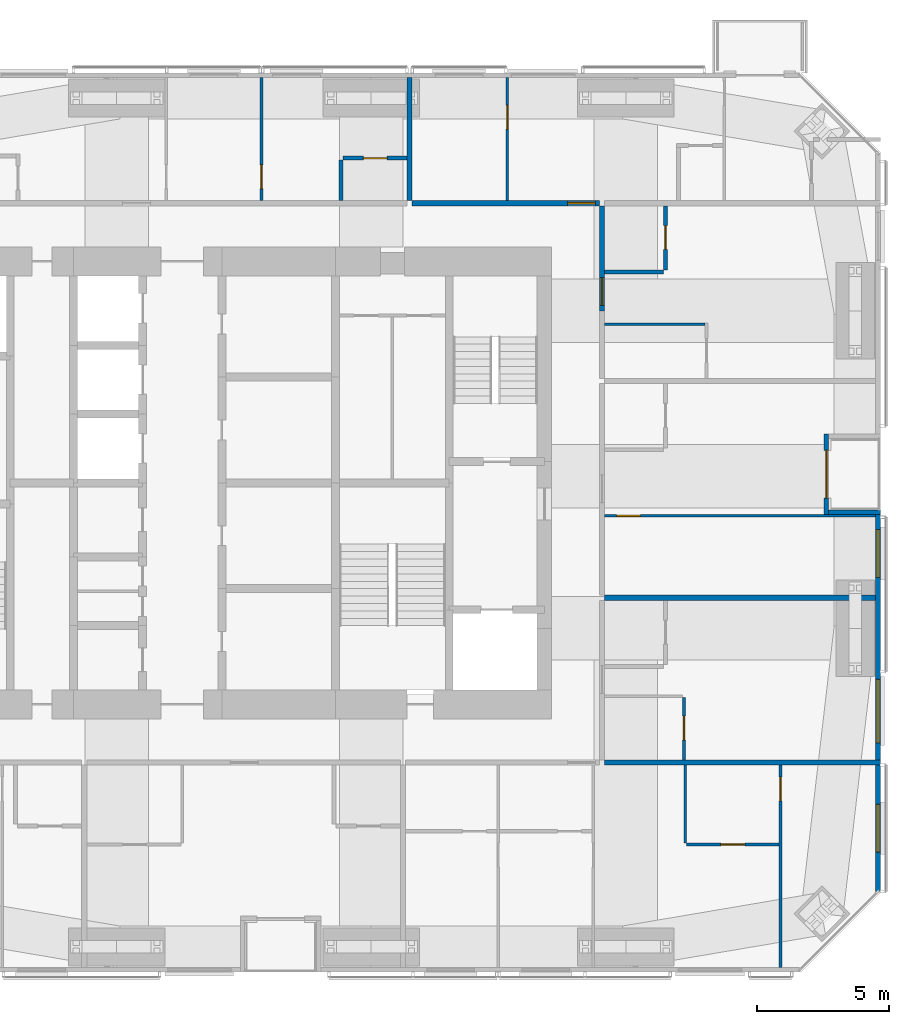
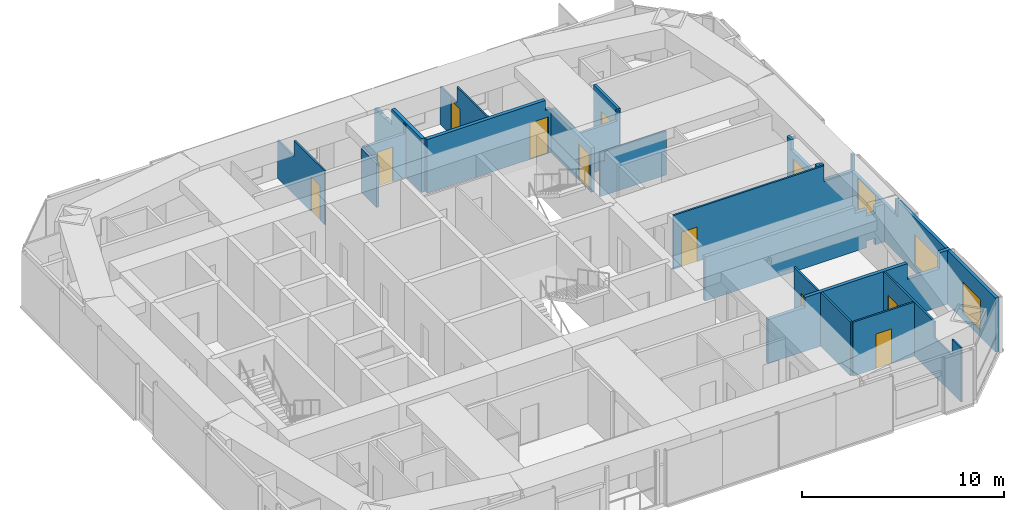
# One storey, part 17 of 19: 20 walls, 11 doors, 3 windows, 14 openings.
"""IFC4 building model written with IfcOpenShell, lengths in metres."""

import ifcopenshell
import ifcopenshell.guid

model = None  # the IFC model being written
_history = None  # IfcOwnerHistory: only IFC2X3 demands one
_inside = {}  # id of a spatial element -> (the spatial element, [elements in it])
_under = {}  # id of a project, library or spatial element -> (it, [spatial elements below it])
_declared = {}  # id of a project -> (the project, [libraries it declares])
_typed = {}  # id of a type object -> (the type object, [elements of that type])
_made_of = {}  # id of a material, layer set ... -> (it, [elements and type objects made of it])


def new_model(schema):
    """Start an empty IFC model of exactly this schema.

    Asked for "IFC4X3", IfcOpenShell would pick the latest addendum, in which some entities
    have other attributes; the version numbers below select the first issue.
    IFC2X3 requires an IfcOwnerHistory on every rooted entity: one is made here for all.
    """
    global model, _history
    if schema == "IFC4X3":
        model = ifcopenshell.file(schema_version=(4, 3, 0, 0))
    else:
        model = ifcopenshell.file(schema=schema)
    _inside.clear()
    _under.clear()
    _declared.clear()
    _typed.clear()
    _made_of.clear()
    _history = None
    if model.schema == "IFC2X3":
        org = make("IfcOrganization", Name="unknown")
        user = make(
            "IfcPersonAndOrganization",
            ThePerson=make("IfcPerson", FamilyName="unknown"),
            TheOrganization=org,
        )
        app = make(
            "IfcApplication",
            ApplicationDeveloper=org,
            Version="unknown",
            ApplicationFullName="unknown",
            ApplicationIdentifier="unknown",
        )
        _history = make(
            "IfcOwnerHistory",
            OwningUser=user,
            OwningApplication=app,
            ChangeAction="ADDED",
            CreationDate=0,
        )
    return model


def make(cls, **values):
    """One entity of the class cls with the attributes given. An attribute that is None is left unset."""
    return model.create_entity(
        cls, **{name: value for name, value in values.items() if value is not None}
    )


def rooted(cls, **values):
    """An entity with a GlobalId (a new one), such as an element, a storey or a relation."""
    return make(cls, GlobalId=ifcopenshell.guid.new(), OwnerHistory=_history, **values)


def si_unit(unit_type, name, prefix=None):
    """IfcSIUnit, for example si_unit("LENGTHUNIT", "METRE", prefix="MILLI")."""
    return make("IfcSIUnit", UnitType=unit_type, Prefix=prefix, Name=name)


def assignment(units):
    """IfcUnitAssignment: the units of a project."""
    return None if units is None else make("IfcUnitAssignment", Units=units)


def point(xyz):
    """IfcCartesianPoint."""
    return None if xyz is None else make("IfcCartesianPoint", Coordinates=xyz)


def direction(xyz):
    """IfcDirection."""
    return None if xyz is None else make("IfcDirection", DirectionRatios=xyz)


def frame(location, z_axis=None, x_axis=None):
    """IfcAxis2Placement3D, a coordinate frame: its origin and axes. An axis left out is left unset."""
    return make(
        "IfcAxis2Placement3D",
        Location=point(location),
        Axis=direction(z_axis),
        RefDirection=direction(x_axis),
    )


def frame_2d(location, x_axis=None):
    """IfcAxis2Placement2D, a coordinate frame in the plane: its origin and x axis."""
    return make(
        "IfcAxis2Placement2D", Location=point(location), RefDirection=direction(x_axis)
    )


def origin():
    """The frame at (0, 0, 0) with its axes left unset."""
    return frame((0.0, 0.0, 0.0))


def place(relative_to, where):
    """IfcLocalPlacement: puts the frame where relative to a parent placement (None: the world)."""
    return make(
        "IfcLocalPlacement", PlacementRelTo=relative_to, RelativePlacement=where
    )


def context(
    kind, dimensions, precision=None, world=None, true_north=None, identifier=None
):
    """IfcGeometricRepresentationContext, for example the 3D "Model" context."""
    return make(
        "IfcGeometricRepresentationContext",
        ContextIdentifier=identifier,
        ContextType=kind,
        CoordinateSpaceDimension=dimensions,
        Precision=precision,
        WorldCoordinateSystem=world,
        TrueNorth=true_north,
    )


def subcontext(parent, identifier, kind, view, scale=None):
    """IfcGeometricRepresentationSubContext, for example "Body" below "Model"."""
    return make(
        "IfcGeometricRepresentationSubContext",
        ContextIdentifier=identifier,
        ContextType=kind,
        ParentContext=parent,
        TargetScale=scale,
        TargetView=view,
    )


def project(units=None, contexts=None):
    """IfcProject with its units and contexts."""
    return rooted(
        "IfcProject",
        Name="project",
        RepresentationContexts=contexts,
        UnitsInContext=assignment(units),
    )


def spatial(cls, under=None, at=None, **own):
    """A site, building, storey or space (cls), placed at a placement, below another one or the project."""
    s = rooted(cls, ObjectPlacement=at, **own)
    if under is not None:
        _under.setdefault(under.id(), (under, []))[1].append(s)
    return s


def polyline(points):
    """IfcPolyline through the points."""
    return make("IfcPolyline", Points=[point(p) for p in points])


def profile(cls, at=None, kind="AREA", **sizes):
    """A parametric profile (cls). Its sizes go by their IFC names, for example OverallWidth=200.0."""
    return make(cls, ProfileType=kind, Position=at, **sizes)


def rectangle(**sizes):
    """IfcRectangleProfileDef."""
    return profile("IfcRectangleProfileDef", **sizes)


def outline(outer, holes=None, kind="AREA"):
    """IfcArbitraryClosedProfileDef: a profile drawn as a closed curve; with holes, ...WithVoids."""
    if holes is None:
        return make("IfcArbitraryClosedProfileDef", ProfileType=kind, OuterCurve=outer)
    return make(
        "IfcArbitraryProfileDefWithVoids",
        ProfileType=kind,
        OuterCurve=outer,
        InnerCurves=holes,
    )


def extrude(swept, where, along, depth):
    """IfcExtrudedAreaSolid: the profile swept, set in the frame where, extruded along a direction by depth."""
    return make(
        "IfcExtrudedAreaSolid",
        SweptArea=swept,
        Position=where,
        ExtrudedDirection=direction(along),
        Depth=depth,
    )


def shape(context_of_items, identifier, shape_type, items):
    """IfcShapeRepresentation: the items that make up one representation, for example the "Body"."""
    return make(
        "IfcShapeRepresentation",
        ContextOfItems=context_of_items,
        RepresentationIdentifier=identifier,
        RepresentationType=shape_type,
        Items=items,
    )


def material(Name=None, Category=None):
    """IfcMaterial."""
    return make("IfcMaterial", Name=Name, Category=Category)


def constituent(of_material, Name=None, Category=None, fraction=None):
    """IfcMaterialConstituent: one of the materials an element consists of."""
    return make(
        "IfcMaterialConstituent",
        Name=Name,
        Material=of_material,
        Fraction=fraction,
        Category=Category,
    )


def constituent_set(constituents=None, Name=None):
    """IfcMaterialConstituentSet."""
    return make(
        "IfcMaterialConstituentSet", Name=Name, MaterialConstituents=constituents
    )


def made_of(thing, what):
    """Note that an element or type object is made of a material, layer set ...; save() writes the relation."""
    if what is not None:
        _made_of.setdefault(what.id(), (what, []))[1].append(thing)
    return thing


def type_object(cls, material=None, **own):
    """A type object (cls), such as IfcWallType, which elements share."""
    return made_of(rooted(cls, **own), material)


def element(
    cls,
    number,
    at=None,
    inside=None,
    cuts=None,
    type_object=None,
    material=None,
    context=None,
    identifier="Body",
    shape_type=None,
    held_by="IfcProductDefinitionShape",
    body=None,
    shapes=None,
    **own,
):
    """One element of the class cls, such as IfcWall. Its Tag is "e" and its number.

    at: its placement. inside: the storey or other place that contains it. cuts: it is an
    opening in that element (IfcRelVoidsElement). A single representation is given by context,
    identifier, shape_type and body (its items); several are given by shapes. held_by: the class
    of the entity that holds the representations. save() writes the other relations.
    """
    e = rooted(cls, Tag="e%d" % number, ObjectPlacement=at, **own)
    if body is not None:
        shapes = [shape(context, identifier, shape_type, body)]
    if shapes is not None:
        e.Representation = make(held_by, Representations=shapes)
    if inside is not None:
        _inside.setdefault(inside.id(), (inside, []))[1].append(e)
    if cuts is not None:
        rooted(
            "IfcRelVoidsElement", RelatingBuildingElement=cuts, RelatedOpeningElement=e
        )
    if type_object is not None:
        _typed.setdefault(type_object.id(), (type_object, []))[1].append(e)
    return made_of(e, material)


def fill(opening, filler):
    """IfcRelFillsElement: the door or window that sits in an opening."""
    return rooted(
        "IfcRelFillsElement",
        RelatingOpeningElement=opening,
        RelatedBuildingElement=filler,
    )


def aggregate(whole, parts):
    """IfcRelAggregates: a whole, such as a stair, and the parts it consists of."""
    return rooted("IfcRelAggregates", RelatingObject=whole, RelatedObjects=parts)


def save(model, path):
    """Write the relations noted so far, then the file.

    IfcRelAggregates (storeys below a building ...), IfcRelContainedInSpatialStructure (elements
    in a storey), IfcRelDefinesByType, IfcRelAssociatesMaterial and IfcRelDeclares: one each for
    every whole, place, type object, material and project.
    """
    for whole, parts in _under.values():
        aggregate(whole, parts)
    for where, things in _inside.values():
        rooted(
            "IfcRelContainedInSpatialStructure",
            RelatedElements=things,
            RelatingStructure=where,
        )
    for kind, things in _typed.values():
        rooted("IfcRelDefinesByType", RelatedObjects=things, RelatingType=kind)
    for what, things in _made_of.values():
        rooted("IfcRelAssociatesMaterial", RelatedObjects=things, RelatingMaterial=what)
    for by, libraries in _declared.values():
        rooted("IfcRelDeclares", RelatingContext=by, RelatedDefinitions=libraries)
    model.write(path)


model = new_model("IFC4")

# Units and contexts
model_context = context("Model", 3, precision=1e-05, world=origin(), true_north=direction((0.0, 1.0)))
body_context = subcontext(model_context, "Body", "Model", "MODEL_VIEW")
ifc_project = project(units=[si_unit("LENGTHUNIT", "METRE"), si_unit("AREAUNIT", "SQUARE_METRE"), si_unit("VOLUMEUNIT", "CUBIC_METRE"), si_unit("PLANEANGLEUNIT", "RADIAN"), si_unit("MASSUNIT", "GRAM", prefix="KILO")], contexts=[model_context])

# Site, building, storey
site_placement = place(None, origin())
site = spatial("IfcSite", under=ifc_project, at=site_placement, CompositionType="ELEMENT")
building_placement = place(site_placement, origin())
building = spatial("IfcBuilding", under=site, at=building_placement, Name="Jalousie Tower", CompositionType="ELEMENT")
storey_placement = place(building_placement, frame((0.0, 0.0, 221.449951171875)))
storey = spatial("IfcBuildingStorey", under=building, at=storey_placement, Name="L60", CompositionType="ELEMENT", Elevation=221.449951171875)

# Wall, opening, door
ifc_material_1 = material(Name="Concrete block ASTM C90", Category="concrete")
ifc_constituent_1 = constituent(ifc_material_1, Name="Body")
ifc_material_2 = material(Name="Render")
ifc_constituent_2 = constituent(ifc_material_2, Name="Finish")
ifc_constituent_set_1 = constituent_set(constituents=[ifc_constituent_1, ifc_constituent_2])
wall_type_1 = type_object("IfcWallType", Name="BATHROOM WALL 150", PredefinedType="PLUMBINGWALL", material=ifc_constituent_set_1)
wall_1_placement = place(storey_placement, frame((36.175048828125, 30.77490234375, 0.0), z_axis=(0.0, 0.0, 1.0), x_axis=(1.0, 0.0, 0.0)))
wall_1 = element("IfcWall", 1, at=wall_1_placement, inside=storey, type_object=wall_type_1, Name="Bathroom Wall 150 L60", PredefinedType="PLUMBINGWALL", context=body_context, shape_type="SweptSolid", body=[
    extrude(outline(polyline([(0.0, 0.0), (2.425048828125, 0.0), (2.425048828125, 3.260009765625), (2.360107421875, 3.260009765625), (2.360107421875, 2.66015625), (0.0, 2.66015625), (0.0, 3.260009765625), (0.0, 0.0)])), frame((0.0, 0.074951171875, 0.0), z_axis=(0.0, -1.0, 0.0), x_axis=(1.0, 0.0, 0.0)), (0.0, 0.0, 1.0), 0.14990234375),
])
opening_1_placement = place(wall_1_placement, frame((0.77490234375, 0.0, 0.0)))
opening_1 = element("IfcOpeningElement", 2, at=opening_1_placement, cuts=wall_1, Name="Opening D3", PredefinedType="OPENING", context=body_context, shape_type="SweptSolid", body=[
    extrude(rectangle(XDim=0.89990234375, YDim=2.10009765625, at=frame_2d((0.449951171875, 1.050048828125))), frame((0.0, 0.0849609375, 0.0), z_axis=(0.0, -1.0, 0.0), x_axis=(1.0, 0.0, 0.0)), (0.0, 0.0, 1.0), 0.169921875),
])
ifc_material_3 = material(Name="Timber door", Category="wood")
door_type_1 = type_object("IfcDoorType", Name="BATHROOM DOOR 900", OperationType="SINGLE_SWING_LEFT", PredefinedType="DOOR", material=ifc_material_3)
door_1_placement = place(opening_1_placement, frame((0.89990234375, 0.0, 0.0), z_axis=(0.0, 0.0, 1.0), x_axis=(-1.0, 0.0, 0.0)))
door_1 = element("IfcDoor", 3, at=door_1_placement, inside=storey, type_object=door_type_1, Name="Apartment 6004 bathroom door", OperationType="SINGLE_SWING_LEFT", OverallHeight=2.10009765625, OverallWidth=0.89990234375, PredefinedType="DOOR", context=body_context, shape_type="SweptSolid", body=[
    extrude(rectangle(XDim=0.89990234375, YDim=2.10009765625, at=frame_2d((0.449951171875, 1.050048828125))), frame((0.0, 0.02490234375, 0.0), z_axis=(0.0, -1.0, 0.0), x_axis=(1.0, 0.0, 0.0)), (0.0, 0.0, 1.0), 0.050048828125),
])
fill(opening_1, door_1)

# Wall
wall_2_placement = place(storey_placement, frame((36.10009765625, 30.699951171875, 0.0), z_axis=(0.0, 0.0, 1.0), x_axis=(0.0, -1.0, 0.0)))
element("IfcWall", 4, at=wall_2_placement, inside=storey, type_object=wall_type_1, Name="Bathroom Wall 150 L60", PredefinedType="PLUMBINGWALL", context=body_context, shape_type="SweptSolid", body=[
    extrude(outline(polyline([(0.0, 0.0), (1.52490234375, 0.0), (1.52490234375, 3.260009765625), (1.52490234375, 2.66015625), (0.0, 2.66015625), (0.0, 3.260009765625), (0.0, 0.0)])), frame((0.0, 0.074951171875, 0.0), z_axis=(0.0, -1.0, 0.0), x_axis=(1.0, 0.0, 0.0)), (0.0, 0.0, 1.0), 0.14990234375),
])

# Wall, opening, door
wall_3_placement = place(storey_placement, frame((48.375, 26.550048828125, 0.0), z_axis=(0.0, 0.0, 1.0), x_axis=(0.0, 1.0, 0.0)))
wall_3 = element("IfcWall", 5, at=wall_3_placement, inside=storey, type_object=wall_type_1, Name="Bathroom Wall 150 L60", PredefinedType="PLUMBINGWALL", context=body_context, shape_type="SweptSolid", body=[
    extrude(rectangle(XDim=2.425048828125, YDim=0.14990234375, at=frame_2d((1.21240234375, 0.0))), origin(), (0.0, 0.0, 1.0), 3.260009765625),
])
opening_2_placement = place(wall_3_placement, frame((0.77490234375, 0.0, 0.0)))
opening_2 = element("IfcOpeningElement", 6, at=opening_2_placement, cuts=wall_3, Name="Opening D3", PredefinedType="OPENING", context=body_context, shape_type="SweptSolid", body=[
    extrude(rectangle(XDim=0.89990234375, YDim=2.10009765625, at=frame_2d((0.449951171875, 1.050048828125))), frame((0.0, 0.0849609375, 0.0), z_axis=(0.0, -1.0, 0.0), x_axis=(1.0, 0.0, 0.0)), (0.0, 0.0, 1.0), 0.169921875),
])
door_2_placement = place(opening_2_placement, origin())
door_2 = element("IfcDoor", 7, at=door_2_placement, inside=storey, type_object=door_type_1, Name="Apartment 6008 bathroom door", OperationType="SINGLE_SWING_RIGHT", OverallHeight=2.10009765625, OverallWidth=0.89990234375, PredefinedType="DOOR", context=body_context, shape_type="SweptSolid", body=[
    extrude(rectangle(XDim=0.89990234375, YDim=2.10009765625, at=frame_2d((0.449951171875, 1.050048828125))), frame((0.0, 0.02490234375, 0.0), z_axis=(0.0, -1.0, 0.0), x_axis=(1.0, 0.0, 0.0)), (0.0, 0.0, 1.0), 0.050048828125),
])
fill(opening_2, door_2)

# Wall
wall_4_placement = place(storey_placement, frame((48.300048828125, 26.47509765625, 0.0), z_axis=(0.0, 0.0, 1.0), x_axis=(-1.0, 0.0, 0.0)))
element("IfcWall", 8, at=wall_4_placement, inside=storey, type_object=wall_type_1, Name="Bathroom Wall 150 L60", PredefinedType="PLUMBINGWALL", context=body_context, shape_type="SweptSolid", body=[
    extrude(outline(polyline([(0.0, 0.0), (2.22509765625, 0.0), (2.22509765625, 3.260009765625), (2.22509765625, 2.66015625), (0.139892578125, 2.66015625), (0.139892578125, 3.260009765625), (0.0, 3.260009765625), (0.0, 0.0)])), frame((0.0, 0.074951171875, 0.0), z_axis=(0.0, -1.0, 0.0), x_axis=(1.0, 0.0, 0.0)), (0.0, 0.0, 1.0), 0.14990234375),
])

# Wall, opening, door
ifc_material_4 = material(Name="Concrete block ASTM C90", Category="concrete")
ifc_constituent_3 = constituent(ifc_material_4, Name="Body")
ifc_material_5 = material(Name="Render")
ifc_constituent_4 = constituent(ifc_material_5, Name="Finish")
ifc_constituent_set_2 = constituent_set(constituents=[ifc_constituent_3, ifc_constituent_4])
wall_type_2 = type_object("IfcWallType", Name="CORRIDOR WALL 200", PredefinedType="PARTITIONING", material=ifc_constituent_set_2)
wall_5_placement = place(storey_placement, frame((38.800048828125, 29.074951171875, 0.0), z_axis=(0.0, 0.0, 1.0), x_axis=(1.0, 0.0, 0.0)))
wall_5 = element("IfcWall", 9, at=wall_5_placement, inside=storey, type_object=wall_type_2, Name="Corridor Wall 200 L60", PredefinedType="PARTITIONING", context=body_context, shape_type="SweptSolid", body=[
    extrude(outline(polyline([(0.0, 0.0), (7.074951171875, 0.0), (7.074951171875, 3.260009765625), (7.074951171875, 2.66015625), (6.764892578125, 2.66015625), (6.764892578125, 3.260009765625), (0.0, 3.260009765625), (0.0, 0.0)])), frame((0.0, 0.10009765625, 0.0), z_axis=(0.0, -1.0, 0.0), x_axis=(1.0, 0.0, 0.0)), (0.0, 0.0, 1.0), 0.199951171875),
])
opening_3_placement = place(wall_5_placement, frame((5.875, 0.0, 0.0)))
opening_3 = element("IfcOpeningElement", 10, at=opening_3_placement, cuts=wall_5, Name="Opening D1", PredefinedType="OPENING", context=body_context, shape_type="SweptSolid", body=[
    extrude(rectangle(XDim=1.050048828125, YDim=2.199951171875, at=frame_2d((0.52490234375, 1.10009765625))), frame((0.0, 0.10986328125, 0.0), z_axis=(0.0, -1.0, 0.0), x_axis=(1.0, 0.0, 0.0)), (0.0, 0.0, 1.0), 0.219970703125),
])
ifc_material_6 = material(Name="Timber fire door", Category="wood")
door_type_2 = type_object("IfcDoorType", Name="APARTMENT ENTRANCE DOOR 1050", OperationType="SINGLE_SWING_LEFT", PredefinedType="DOOR", material=ifc_material_6)
door_3_placement = place(opening_3_placement, origin())
door_3 = element("IfcDoor", 11, at=door_3_placement, inside=storey, type_object=door_type_2, Name="Apartment 6005 entrance", OperationType="SINGLE_SWING_LEFT", OverallHeight=2.199951171875, OverallWidth=1.050048828125, PredefinedType="DOOR", context=body_context, shape_type="SweptSolid", body=[
    extrude(rectangle(XDim=1.050048828125, YDim=2.199951171875, at=frame_2d((0.52490234375, 1.10009765625))), frame((0.0, 0.02490234375, 0.0), z_axis=(0.0, -1.0, 0.0), x_axis=(1.0, 0.0, 0.0)), (0.0, 0.0, 1.0), 0.050048828125),
])
fill(opening_3, door_3)

wall_6_placement = place(storey_placement, frame((45.97509765625, 25.0, 0.0), z_axis=(0.0, 0.0, 1.0), x_axis=(0.0, 1.0, 0.0)))
wall_6 = element("IfcWall", 12, at=wall_6_placement, inside=storey, type_object=wall_type_2, Name="Corridor Wall 200 L60-B", PredefinedType="PARTITIONING", context=body_context, shape_type="SweptSolid", body=[
    extrude(rectangle(XDim=3.97509765625, YDim=0.199951171875, at=frame_2d((1.987548828125, 0.0))), origin(), (0.0, 0.0, 1.0), 2.66015625),
])
opening_4_placement = place(wall_6_placement, frame((0.21240234375, 0.0, 0.0)))
opening_4 = element("IfcOpeningElement", 13, at=opening_4_placement, cuts=wall_6, Name="Opening D1", PredefinedType="OPENING", context=body_context, shape_type="SweptSolid", body=[
    extrude(rectangle(XDim=1.050048828125, YDim=2.199951171875, at=frame_2d((0.52490234375, 1.10009765625))), frame((0.0, 0.10986328125, 0.0), z_axis=(0.0, -1.0, 0.0), x_axis=(1.0, 0.0, 0.0)), (0.0, 0.0, 1.0), 0.219970703125),
])
door_4_placement = place(opening_4_placement, frame((1.050048828125, 0.0, 0.0), z_axis=(0.0, 0.0, 1.0), x_axis=(-1.0, 0.0, 0.0)))
door_4 = element("IfcDoor", 14, at=door_4_placement, inside=storey, type_object=door_type_2, Name="Apartment 6008 entrance", OperationType="SINGLE_SWING_LEFT", OverallHeight=2.199951171875, OverallWidth=1.050048828125, PredefinedType="DOOR", context=body_context, shape_type="SweptSolid", body=[
    extrude(rectangle(XDim=1.050048828125, YDim=2.199951171875, at=frame_2d((0.52490234375, 1.10009765625))), frame((0.0, 0.02490234375, 0.0), z_axis=(0.0, -1.0, 0.0), x_axis=(1.0, 0.0, 0.0)), (0.0, 0.0, 1.0), 0.050048828125),
])
fill(opening_4, door_4)

# Wall, openings, windows
ifc_material_7 = material(Name="Concrete f'c 40 MPa", Category="concrete")
ifc_constituent_5 = constituent(ifc_material_7, Name="Body")
ifc_material_8 = material(Name="Render, pastel sky blue")
ifc_constituent_6 = constituent(ifc_material_8, Name="Finish")
ifc_constituent_set_3 = constituent_set(constituents=[ifc_constituent_5, ifc_constituent_6])
wall_type_3 = type_object("IfcWallType", Name="EXTERNAL WALL 175 SKY BLUE RENDER", PredefinedType="SOLIDWALL", material=ifc_constituent_set_3)
wall_7_placement = place(storey_placement, frame((56.41259765625, 3.05126953125, 0.0), z_axis=(0.0, 0.0, 1.0), x_axis=(0.0, 1.0, 0.0)))
wall_7 = element("IfcWall", 15, at=wall_7_placement, inside=storey, type_object=wall_type_3, Name="External Wall 175 Sky Blue Render L60", PredefinedType="SOLIDWALL", context=body_context, shape_type="SweptSolid", body=[
    extrude(outline(polyline([(0.0, 0.0), (14.248779296875, 0.0), (14.248779296875, 2.300048828125), (9.94873046875, 2.300048828125), (9.94873046875, 3.260009765625), (9.8583984375, 3.260009765625), (9.8583984375, 2.300048828125), (9.6875, 2.300048828125), (9.6875, 3.260009765625), (0.0, 3.260009765625), (0.0, 0.0)])), frame((0.0, 0.08740234375, 0.0), z_axis=(0.0, -1.0, 0.0), x_axis=(1.0, 0.0, 0.0)), (0.0, 0.0, 1.0), 0.175048828125),
])
opening_5_placement = place(wall_7_placement, frame((1.48681640625, 0.0, 0.39990234375)))
opening_5 = element("IfcOpeningElement", 16, at=opening_5_placement, cuts=wall_7, Name="Opening W-BED185", PredefinedType="OPENING", context=body_context, shape_type="SweptSolid", body=[
    extrude(rectangle(XDim=1.800048828125, YDim=1.85009765625, at=frame_2d((0.89990234375, 0.925048828125))), frame((0.0, 0.097412109375, 0.0), z_axis=(0.0, -1.0, 0.0), x_axis=(1.0, 0.0, 0.0)), (0.0, 0.0, 1.0), 0.195068359375),
])
opening_6_placement = place(wall_7_placement, frame((5.6162109375, 0.0, 0.39990234375)))
opening_6 = element("IfcOpeningElement", 17, at=opening_6_placement, cuts=wall_7, Name="Opening W-LIV185", PredefinedType="OPENING", context=body_context, shape_type="SweptSolid", body=[
    extrude(rectangle(XDim=2.39990234375, YDim=1.85009765625, at=frame_2d((1.199951171875, 0.925048828125))), frame((0.0, 0.097412109375, 0.0), z_axis=(0.0, -1.0, 0.0), x_axis=(1.0, 0.0, 0.0)), (0.0, 0.0, 1.0), 0.195068359375),
])
opening_7_placement = place(wall_7_placement, frame((11.875, 0.0, 0.39990234375)))
opening_7 = element("IfcOpeningElement", 18, at=opening_7_placement, cuts=wall_7, Name="Opening W-BED185", PredefinedType="OPENING", context=body_context, shape_type="SweptSolid", body=[
    extrude(rectangle(XDim=1.800048828125, YDim=1.85009765625, at=frame_2d((0.89990234375, 0.925048828125))), frame((0.0, 0.097412109375, 0.0), z_axis=(0.0, -1.0, 0.0), x_axis=(1.0, 0.0, 0.0)), (0.0, 0.0, 1.0), 0.195068359375),
])
ifc_material_9 = material(Name="Aluminium frame, impact-rated glazing", Category="aluminium")
window_type_1 = type_object("IfcWindowType", Name="WINDOW BED 1800x1850", PartitioningType="SINGLE_PANEL", PredefinedType="WINDOW", material=ifc_material_9)
window_1_placement = place(opening_5_placement, origin())
window_1 = element("IfcWindow", 19, at=window_1_placement, inside=storey, type_object=window_type_1, Name="Apartment 6003 study window", OverallHeight=1.85009765625, OverallWidth=1.800048828125, PartitioningType="SINGLE_PANEL", PredefinedType="WINDOW", context=body_context, shape_type="SweptSolid", body=[
    extrude(rectangle(XDim=1.800048828125, YDim=1.85009765625, at=frame_2d((0.89990234375, 0.925048828125))), frame((0.0, 0.030029296875, 0.0), z_axis=(0.0, -1.0, 0.0), x_axis=(1.0, 0.0, 0.0)), (0.0, 0.0, 1.0), 0.06005859375),
])
fill(opening_5, window_1)
window_2_placement = place(opening_7_placement, origin())
window_2 = element("IfcWindow", 20, at=window_2_placement, inside=storey, type_object=window_type_1, Name="Apartment 6007 study window", OverallHeight=1.85009765625, OverallWidth=1.800048828125, PartitioningType="SINGLE_PANEL", PredefinedType="WINDOW", context=body_context, shape_type="SweptSolid", body=[
    extrude(rectangle(XDim=1.800048828125, YDim=1.85009765625, at=frame_2d((0.89990234375, 0.925048828125))), frame((0.0, 0.030029296875, 0.0), z_axis=(0.0, -1.0, 0.0), x_axis=(1.0, 0.0, 0.0)), (0.0, 0.0, 1.0), 0.06005859375),
])
fill(opening_7, window_2)
ifc_material_10 = material(Name="Aluminium frame, impact-rated glazing", Category="aluminium")
window_type_2 = type_object("IfcWindowType", Name="WINDOW LIV 2400x1850", PartitioningType="DOUBLE_PANEL_VERTICAL", PredefinedType="WINDOW", material=ifc_material_10)
window_3_placement = place(opening_6_placement, origin())
window_3 = element("IfcWindow", 21, at=window_3_placement, inside=storey, type_object=window_type_2, Name="Apartment 6006 studio living and sleeping room window", OverallHeight=1.85009765625, OverallWidth=2.39990234375, PartitioningType="SINGLE_PANEL", PredefinedType="WINDOW", context=body_context, shape_type="SweptSolid", body=[
    extrude(rectangle(XDim=2.39990234375, YDim=1.85009765625, at=frame_2d((1.199951171875, 0.925048828125))), frame((0.0, 0.030029296875, 0.0), z_axis=(0.0, -1.0, 0.0), x_axis=(1.0, 0.0, 0.0)), (0.0, 0.0, 1.0), 0.06005859375),
])
fill(opening_6, window_3)

# Wall, opening, door
wall_8_placement = place(storey_placement, frame((54.46240234375, 17.300048828125, 0.0), z_axis=(0.0, 0.0, 1.0), x_axis=(0.0, 1.0, 0.0)))
wall_8 = element("IfcWall", 22, at=wall_8_placement, inside=storey, type_object=wall_type_3, Name="External Wall 175 Sky Blue Render L60", PredefinedType="SOLIDWALL", context=body_context, shape_type="SweptSolid", body=[
    extrude(outline(polyline([(0.0, 0.0), (3.050048828125, 0.0), (3.050048828125, 3.260009765625), (2.64990234375, 3.260009765625), (2.64990234375, 2.66015625), (0.25, 2.66015625), (0.25, 3.260009765625), (0.0, 3.260009765625), (0.0, 0.0)])), frame((0.0, 0.08740234375, 0.0), z_axis=(0.0, -1.0, 0.0), x_axis=(1.0, 0.0, 0.0)), (0.0, 0.0, 1.0), 0.175048828125),
])
opening_8_placement = place(wall_8_placement, frame((0.625, 0.0, 0.0)))
opening_8 = element("IfcOpeningElement", 23, at=opening_8_placement, cuts=wall_8, Name="Opening D-BAL22", PredefinedType="OPENING", context=body_context, shape_type="SweptSolid", body=[
    extrude(rectangle(XDim=1.800048828125, YDim=2.25, at=frame_2d((0.89990234375, 1.125))), frame((0.0, 0.097412109375, 0.0), z_axis=(0.0, -1.0, 0.0), x_axis=(1.0, 0.0, 0.0)), (0.0, 0.0, 1.0), 0.195068359375),
])
ifc_material_11 = material(Name="Aluminium frame, impact-rated glazing", Category="aluminium")
door_type_3 = type_object("IfcDoorType", Name="BALCONY DOOR 1800x2250", OperationType="SLIDING_TO_LEFT", PredefinedType="DOOR", material=ifc_material_11)
door_5_placement = place(opening_8_placement, origin())
door_5 = element("IfcDoor", 24, at=door_5_placement, inside=storey, type_object=door_type_3, Name="Apartment 6007 studio kitchen, living and sleeping room loggia door", OperationType="SLIDING_TO_LEFT", OverallHeight=2.25, OverallWidth=1.800048828125, PredefinedType="DOOR", context=body_context, shape_type="SweptSolid", body=[
    extrude(rectangle(XDim=1.800048828125, YDim=2.25, at=frame_2d((0.89990234375, 1.125))), frame((0.0, 0.02490234375, 0.0), z_axis=(0.0, -1.0, 0.0), x_axis=(1.0, 0.0, 0.0)), (0.0, 0.0, 1.0), 0.050048828125),
])
fill(opening_8, door_5)

# Wall
wall_9_placement = place(storey_placement, frame((56.5, 17.387451171875, 0.0), z_axis=(0.0, 0.0, 1.0), x_axis=(-1.0, 0.0, 0.0)))
element("IfcWall", 25, at=wall_9_placement, inside=storey, type_object=wall_type_3, Name="External Wall 175 Sky Blue Render L60", PredefinedType="SOLIDWALL", context=body_context, shape_type="SweptSolid", body=[
    extrude(outline(polyline([(0.0, 0.0), (1.949951171875, 0.0), (1.949951171875, 3.260009765625), (1.75, 3.260009765625), (1.75, 2.300048828125), (0.14990234375, 2.300048828125), (0.14990234375, 3.260009765625), (0.0, 3.260009765625), (0.0, 0.0)])), frame((0.0, 0.08740234375, 0.0), z_axis=(0.0, -1.0, 0.0), x_axis=(1.0, 0.0, 0.0)), (0.0, 0.0, 1.0), 0.175048828125),
])

# Wall, opening, door
ifc_material_12 = material(Name="Gypsum board", Category="gypsum")
ifc_constituent_7 = constituent(ifc_material_12, Name="Body")
ifc_material_13 = material(Name="Light-gauge steel studs ASTM A653 SS Grade 33", Category="steel")
ifc_constituent_8 = constituent(ifc_material_13, Name="Framing")
ifc_constituent_set_4 = constituent_set(constituents=[ifc_constituent_7, ifc_constituent_8])
wall_type_4 = type_object("IfcWallType", Name="PARTITION 100", PredefinedType="PARTITIONING", material=ifc_constituent_set_4)
wall_10_placement = place(storey_placement, frame((52.72509765625, 0.175048828125, 0.0), z_axis=(0.0, 0.0, 1.0), x_axis=(0.0, 1.0, 0.0)))
wall_10 = element("IfcWall", 26, at=wall_10_placement, inside=storey, type_object=wall_type_4, Name="Partition 100 L60", PredefinedType="PARTITIONING", context=body_context, shape_type="SweptSolid", body=[
    extrude(outline(polyline([(0.0, 0.0), (7.64990234375, 0.0), (7.64990234375, 3.260009765625), (2.638671875, 3.260009765625), (2.638671875, 2.300048828125), (0.89404296875, 2.300048828125), (0.89404296875, 3.260009765625), (0.0, 3.260009765625), (0.0, 0.0)])), frame((0.0, 0.050048828125, 0.0), z_axis=(0.0, -1.0, 0.0), x_axis=(1.0, 0.0, 0.0)), (0.0, 0.0, 1.0), 0.10009765625),
])
opening_9_placement = place(wall_10_placement, frame((6.300048828125, 0.0, 0.0)))
opening_9 = element("IfcOpeningElement", 27, at=opening_9_placement, cuts=wall_10, Name="Opening D2", PredefinedType="OPENING", context=body_context, shape_type="SweptSolid", body=[
    extrude(rectangle(XDim=0.89990234375, YDim=2.10009765625, at=frame_2d((0.449951171875, 1.050048828125))), frame((0.0, 0.06005859375, 0.0), z_axis=(0.0, -1.0, 0.0), x_axis=(1.0, 0.0, 0.0)), (0.0, 0.0, 1.0), 0.1201171875),
])
ifc_material_14 = material(Name="Timber door", Category="wood")
door_type_4 = type_object("IfcDoorType", Name="BEDROOM DOOR 900", OperationType="SINGLE_SWING_LEFT", PredefinedType="DOOR", material=ifc_material_14)
door_6_placement = place(opening_9_placement, frame((0.89990234375, 0.0, 0.0), z_axis=(0.0, 0.0, 1.0), x_axis=(-1.0, 0.0, 0.0)))
door_6 = element("IfcDoor", 28, at=door_6_placement, inside=storey, type_object=door_type_4, Name="Apartment 6003 study door", OperationType="SINGLE_SWING_LEFT", OverallHeight=2.10009765625, OverallWidth=0.89990234375, PredefinedType="DOOR", context=body_context, shape_type="SweptSolid", body=[
    extrude(rectangle(XDim=0.89990234375, YDim=2.10009765625, at=frame_2d((0.449951171875, 1.050048828125))), frame((0.0, 0.02490234375, 0.0), z_axis=(0.0, -1.0, 0.0), x_axis=(1.0, 0.0, 0.0)), (0.0, 0.0, 1.0), 0.050048828125),
])
fill(opening_9, door_6)

wall_11_placement = place(storey_placement, frame((49.175048828125, 4.824951171875, 0.0), z_axis=(0.0, 0.0, 1.0), x_axis=(1.0, 0.0, 0.0)))
wall_11 = element("IfcWall", 29, at=wall_11_placement, inside=storey, type_object=wall_type_4, Name="Partition 100 L60", PredefinedType="PARTITIONING", context=body_context, shape_type="SweptSolid", body=[
    extrude(rectangle(XDim=3.5, YDim=0.10009765625, at=frame_2d((1.75, 0.0))), origin(), (0.0, 0.0, 1.0), 3.260009765625),
])
opening_10_placement = place(wall_11_placement, frame((1.300048828125, 0.0, 0.0)))
opening_10 = element("IfcOpeningElement", 30, at=opening_10_placement, cuts=wall_11, Name="Opening D7", PredefinedType="OPENING", context=body_context, shape_type="SweptSolid", body=[
    extrude(rectangle(XDim=0.89990234375, YDim=2.10009765625, at=frame_2d((0.449951171875, 1.050048828125))), frame((0.0, 0.06005859375, 0.0), z_axis=(0.0, -1.0, 0.0), x_axis=(1.0, 0.0, 0.0)), (0.0, 0.0, 1.0), 0.1201171875),
])
ifc_material_15 = material(Name="Timber door", Category="wood")
door_type_5 = type_object("IfcDoorType", Name="INTERNAL DOOR 900", OperationType="SINGLE_SWING_LEFT", PredefinedType="DOOR", material=ifc_material_15)
door_7_placement = place(opening_10_placement, frame((0.89990234375, 0.0, 0.0), z_axis=(0.0, 0.0, 1.0), x_axis=(-1.0, 0.0, 0.0)))
door_7 = element("IfcDoor", 31, at=door_7_placement, inside=storey, type_object=door_type_5, Name="Apartment 6003 kitchen door", OperationType="SINGLE_SWING_LEFT", OverallHeight=2.10009765625, OverallWidth=0.89990234375, PredefinedType="DOOR", context=body_context, shape_type="SweptSolid", body=[
    extrude(rectangle(XDim=0.89990234375, YDim=2.10009765625, at=frame_2d((0.449951171875, 1.050048828125))), frame((0.0, 0.02490234375, 0.0), z_axis=(0.0, -1.0, 0.0), x_axis=(1.0, 0.0, 0.0)), (0.0, 0.0, 1.0), 0.050048828125),
])
fill(opening_10, door_7)

# Wall
wall_12_placement = place(storey_placement, frame((49.125, 4.875, 0.0), z_axis=(0.0, 0.0, 1.0), x_axis=(0.0, 1.0, 0.0)))
element("IfcWall", 32, at=wall_12_placement, inside=storey, type_object=wall_type_4, Name="Partition 100 L60", PredefinedType="PARTITIONING", context=body_context, shape_type="SweptSolid", body=[
    extrude(rectangle(XDim=2.949951171875, YDim=0.10009765625, at=frame_2d((1.47509765625, 0.0))), origin(), (0.0, 0.0, 1.0), 3.260009765625),
])

# Wall, opening, door
wall_13_placement = place(storey_placement, frame((33.10009765625, 33.824951171875, 0.0), z_axis=(0.0, 0.0, 1.0), x_axis=(0.0, -1.0, 0.0)))
wall_13 = element("IfcWall", 33, at=wall_13_placement, inside=storey, type_object=wall_type_4, Name="Partition 100 L60", PredefinedType="PARTITIONING", context=body_context, shape_type="SweptSolid", body=[
    extrude(outline(polyline([(0.0, 0.0), (4.64990234375, 0.0), (4.64990234375, 3.260009765625), (1.635009765625, 3.260009765625), (1.635009765625, 2.300048828125), (0.0, 2.300048828125), (0.0, 3.260009765625), (0.0, 0.0)])), frame((0.0, 0.050048828125, 0.0), z_axis=(0.0, -1.0, 0.0), x_axis=(1.0, 0.0, 0.0)), (0.0, 0.0, 1.0), 0.10009765625),
])
opening_11_placement = place(wall_13_placement, frame((3.300048828125, 0.0, 0.0)))
opening_11 = element("IfcOpeningElement", 34, at=opening_11_placement, cuts=wall_13, Name="Opening D2", PredefinedType="OPENING", context=body_context, shape_type="SweptSolid", body=[
    extrude(rectangle(XDim=0.89990234375, YDim=2.10009765625, at=frame_2d((0.449951171875, 1.050048828125))), frame((0.0, 0.06005859375, 0.0), z_axis=(0.0, -1.0, 0.0), x_axis=(1.0, 0.0, 0.0)), (0.0, 0.0, 1.0), 0.1201171875),
])
door_8_placement = place(opening_11_placement, frame((0.89990234375, 0.0, 0.0), z_axis=(0.0, 0.0, 1.0), x_axis=(-1.0, 0.0, 0.0)))
door_8 = element("IfcDoor", 35, at=door_8_placement, inside=storey, type_object=door_type_4, Name="Apartment 6004 bedroom 1 door", OperationType="SINGLE_SWING_LEFT", OverallHeight=2.10009765625, OverallWidth=0.89990234375, PredefinedType="DOOR", context=body_context, shape_type="SweptSolid", body=[
    extrude(rectangle(XDim=0.89990234375, YDim=2.10009765625, at=frame_2d((0.449951171875, 1.050048828125))), frame((0.0, 0.02490234375, 0.0), z_axis=(0.0, -1.0, 0.0), x_axis=(1.0, 0.0, 0.0)), (0.0, 0.0, 1.0), 0.050048828125),
])
fill(opening_11, door_8)

wall_14_placement = place(storey_placement, frame((42.39990234375, 33.824951171875, 0.0), z_axis=(0.0, 0.0, 1.0), x_axis=(0.0, -1.0, 0.0)))
wall_14 = element("IfcWall", 36, at=wall_14_placement, inside=storey, type_object=wall_type_4, Name="Partition 100 L60", PredefinedType="PARTITIONING", context=body_context, shape_type="SweptSolid", body=[
    extrude(outline(polyline([(0.0, 0.0), (4.64990234375, 0.0), (4.64990234375, 3.260009765625), (1.635009765625, 3.260009765625), (1.635009765625, 2.300048828125), (0.0, 2.300048828125), (0.0, 3.260009765625), (0.0, 0.0)])), frame((0.0, 0.050048828125, 0.0), z_axis=(0.0, -1.0, 0.0), x_axis=(1.0, 0.0, 0.0)), (0.0, 0.0, 1.0), 0.10009765625),
])
opening_12_placement = place(wall_14_placement, frame((1.050048828125, 0.0, 0.0)))
opening_12 = element("IfcOpeningElement", 37, at=opening_12_placement, cuts=wall_14, Name="Opening D2", PredefinedType="OPENING", context=body_context, shape_type="SweptSolid", body=[
    extrude(rectangle(XDim=0.89990234375, YDim=2.10009765625, at=frame_2d((0.449951171875, 1.050048828125))), frame((0.0, 0.06005859375, 0.0), z_axis=(0.0, -1.0, 0.0), x_axis=(1.0, 0.0, 0.0)), (0.0, 0.0, 1.0), 0.1201171875),
])
door_9_placement = place(opening_12_placement, frame((0.89990234375, 0.0, 0.0), z_axis=(0.0, 0.0, 1.0), x_axis=(-1.0, 0.0, 0.0)))
door_9 = element("IfcDoor", 38, at=door_9_placement, inside=storey, type_object=door_type_4, Name="Apartment 6005 bedroom 2 door", OperationType="SINGLE_SWING_RIGHT", OverallHeight=2.10009765625, OverallWidth=0.89990234375, PredefinedType="DOOR", context=body_context, shape_type="SweptSolid", body=[
    extrude(rectangle(XDim=0.89990234375, YDim=2.10009765625, at=frame_2d((0.449951171875, 1.050048828125))), frame((0.0, 0.02490234375, 0.0), z_axis=(0.0, -1.0, 0.0), x_axis=(1.0, 0.0, 0.0)), (0.0, 0.0, 1.0), 0.050048828125),
])
fill(opening_12, door_9)

wall_15_placement = place(storey_placement, frame((49.074951171875, 8.02490234375, 0.0), z_axis=(0.0, 0.0, 1.0), x_axis=(0.0, 1.0, 0.0)))
wall_15 = element("IfcWall", 39, at=wall_15_placement, inside=storey, type_object=wall_type_4, Name="Partition 100 L60", PredefinedType="PARTITIONING", context=body_context, shape_type="SweptSolid", body=[
    extrude(rectangle(XDim=2.35009765625, YDim=0.10009765625, at=frame_2d((1.175048828125, 0.0))), origin(), (0.0, 0.0, 1.0), 3.260009765625),
])
opening_13_placement = place(wall_15_placement, frame((0.75, 0.0, 0.0)))
opening_13 = element("IfcOpeningElement", 40, at=opening_13_placement, cuts=wall_15, Name="Opening D7", PredefinedType="OPENING", context=body_context, shape_type="SweptSolid", body=[
    extrude(rectangle(XDim=0.89990234375, YDim=2.10009765625, at=frame_2d((0.449951171875, 1.050048828125))), frame((0.0, 0.06005859375, 0.0), z_axis=(0.0, -1.0, 0.0), x_axis=(1.0, 0.0, 0.0)), (0.0, 0.0, 1.0), 0.1201171875),
])
door_10_placement = place(opening_13_placement, origin())
door_10 = element("IfcDoor", 41, at=door_10_placement, inside=storey, type_object=door_type_5, Name="Apartment 6006 kitchen door", OperationType="SINGLE_SWING_RIGHT", OverallHeight=2.10009765625, OverallWidth=0.89990234375, PredefinedType="DOOR", context=body_context, shape_type="SweptSolid", body=[
    extrude(rectangle(XDim=0.89990234375, YDim=2.10009765625, at=frame_2d((0.449951171875, 1.050048828125))), frame((0.0, 0.02490234375, 0.0), z_axis=(0.0, -1.0, 0.0), x_axis=(1.0, 0.0, 0.0)), (0.0, 0.0, 1.0), 0.050048828125),
])
fill(opening_13, door_10)

wall_16_placement = place(storey_placement, frame((56.324951171875, 17.25, 0.0), z_axis=(0.0, 0.0, 1.0), x_axis=(-1.0, 0.0, 0.0)))
wall_16 = element("IfcWall", 42, at=wall_16_placement, inside=storey, type_object=wall_type_4, Name="Partition 100 L60", PredefinedType="PARTITIONING", context=body_context, shape_type="SweptSolid", body=[
    extrude(outline(polyline([(0.0, 0.0), (10.25, 0.0), (10.25, 3.260009765625), (1.635009765625, 3.260009765625), (1.635009765625, 2.300048828125), (0.0, 2.300048828125), (0.0, 3.260009765625), (0.0, 0.0)])), frame((0.0, 0.050048828125, 0.0), z_axis=(0.0, -1.0, 0.0), x_axis=(1.0, 0.0, 0.0)), (0.0, 0.0, 1.0), 0.10009765625),
])
opening_14_placement = place(wall_16_placement, frame((8.89990234375, 0.0, 0.0)))
opening_14 = element("IfcOpeningElement", 43, at=opening_14_placement, cuts=wall_16, Name="Opening D2", PredefinedType="OPENING", context=body_context, shape_type="SweptSolid", body=[
    extrude(rectangle(XDim=0.89990234375, YDim=2.10009765625, at=frame_2d((0.449951171875, 1.050048828125))), frame((0.0, 0.06005859375, 0.0), z_axis=(0.0, -1.0, 0.0), x_axis=(1.0, 0.0, 0.0)), (0.0, 0.0, 1.0), 0.1201171875),
])
door_11_placement = place(opening_14_placement, origin())
door_11 = element("IfcDoor", 44, at=door_11_placement, inside=storey, type_object=door_type_4, Name="Apartment 6007 study door", OperationType="SINGLE_SWING_RIGHT", OverallHeight=2.10009765625, OverallWidth=0.89990234375, PredefinedType="DOOR", context=body_context, shape_type="SweptSolid", body=[
    extrude(rectangle(XDim=0.89990234375, YDim=2.10009765625, at=frame_2d((0.449951171875, 1.050048828125))), frame((0.0, 0.02490234375, 0.0), z_axis=(0.0, -1.0, 0.0), x_axis=(1.0, 0.0, 0.0)), (0.0, 0.0, 1.0), 0.050048828125),
])
fill(opening_14, door_11)

# Walls
wall_17_placement = place(storey_placement, frame((46.074951171875, 24.5, 0.0), z_axis=(0.0, 0.0, 1.0), x_axis=(1.0, 0.0, 0.0)))
element("IfcWall", 45, at=wall_17_placement, inside=storey, type_object=wall_type_4, Name="Partition 100 L60", PredefinedType="PARTITIONING", context=body_context, shape_type="SweptSolid", body=[
    extrude(outline(polyline([(0.0, 0.0), (3.800048828125, 0.0), (3.800048828125, 3.260009765625), (3.800048828125, 2.66015625), (0.0, 2.66015625), (0.0, 3.260009765625), (0.0, 0.0)])), frame((0.0, 0.050048828125, 0.0), z_axis=(0.0, -1.0, 0.0), x_axis=(1.0, 0.0, 0.0)), (0.0, 0.0, 1.0), 0.10009765625),
])
ifc_material_16 = material(Name="Concrete block ASTM C90", Category="concrete")
ifc_constituent_9 = constituent(ifc_material_16, Name="Body")
ifc_material_17 = material(Name="Render")
ifc_constituent_10 = constituent(ifc_material_17, Name="Finish")
ifc_constituent_set_5 = constituent_set(constituents=[ifc_constituent_9, ifc_constituent_10])
wall_type_5 = type_object("IfcWallType", Name="PARTY WALL 200", PredefinedType="PARTITIONING", material=ifc_constituent_set_5)
wall_18_placement = place(storey_placement, frame((46.074951171875, 7.925048828125, 0.0), z_axis=(0.0, 0.0, 1.0), x_axis=(1.0, 0.0, 0.0)))
element("IfcWall", 46, at=wall_18_placement, inside=storey, type_object=wall_type_5, Name="Party Wall 200 L60", PredefinedType="PARTITIONING", context=body_context, shape_type="SweptSolid", body=[
    extrude(outline(polyline([(0.0, 0.0), (10.425048828125, 0.0), (10.425048828125, 3.260009765625), (9.800048828125, 3.260009765625), (9.800048828125, 2.300048828125), (7.9677734375, 2.300048828125), (7.9677734375, 3.260009765625), (2.110107421875, 3.260009765625), (2.110107421875, 2.66015625), (0.0, 2.66015625), (0.0, 3.260009765625), (0.0, 0.0)])), frame((0.0, 0.10009765625, 0.0), z_axis=(0.0, -1.0, 0.0), x_axis=(1.0, 0.0, 0.0)), (0.0, 0.0, 1.0), 0.199951171875),
])
wall_19_placement = place(storey_placement, frame((38.699951171875, 33.824951171875, 0.0), z_axis=(0.0, 0.0, 1.0), x_axis=(0.0, -1.0, 0.0)))
element("IfcWall", 47, at=wall_19_placement, inside=storey, type_object=wall_type_5, Name="Party Wall 200 L60", PredefinedType="PARTITIONING", context=body_context, shape_type="SweptSolid", body=[
    extrude(outline(polyline([(0.52880859375, 2.300048828125), (0.0, 2.300048828125), (0.0, 0.0), (0.52880859375, 0.0), (0.52880859375, 0.051513671875), (1.021240234375, 0.051513671875), (1.021240234375, 0.0), (4.64990234375, 0.0), (4.64990234375, 3.260009765625), (1.68505859375, 3.260009765625), (1.68505859375, 2.300048828125), (1.021240234375, 2.300048828125), (1.021240234375, 2.24853515625), (0.52880859375, 2.24853515625), (0.52880859375, 2.300048828125)])), frame((0.0, 0.10009765625, 0.0), z_axis=(0.0, -1.0, 0.0), x_axis=(1.0, 0.0, 0.0)), (0.0, 0.0, 1.0), 0.199951171875),
])
wall_20_placement = place(storey_placement, frame((56.324951171875, 14.14990234375, 0.0), z_axis=(0.0, 0.0, 1.0), x_axis=(-1.0, 0.0, 0.0)))
element("IfcWall", 48, at=wall_20_placement, inside=storey, type_object=wall_type_5, Name="Party Wall 200 L60", PredefinedType="PARTITIONING", context=body_context, shape_type="SweptSolid", body=[
    extrude(outline(polyline([(0.52880859375, 2.300048828125), (0.0, 2.300048828125), (0.0, 0.0), (0.52880859375, 0.0), (0.52880859375, 0.395751953125), (1.021240234375, 0.395751953125), (1.021240234375, 0.0), (10.25, 0.0), (10.25, 2.66015625), (1.68505859375, 2.66015625), (1.68505859375, 2.300048828125), (1.021240234375, 2.300048828125), (1.021240234375, 1.904296875), (0.52880859375, 1.904296875), (0.52880859375, 2.300048828125)])), frame((0.0, 0.10009765625, 0.0), z_axis=(0.0, -1.0, 0.0), x_axis=(1.0, 0.0, 0.0)), (0.0, 0.0, 1.0), 0.199951171875),
])

save(model, "model.ifc")
